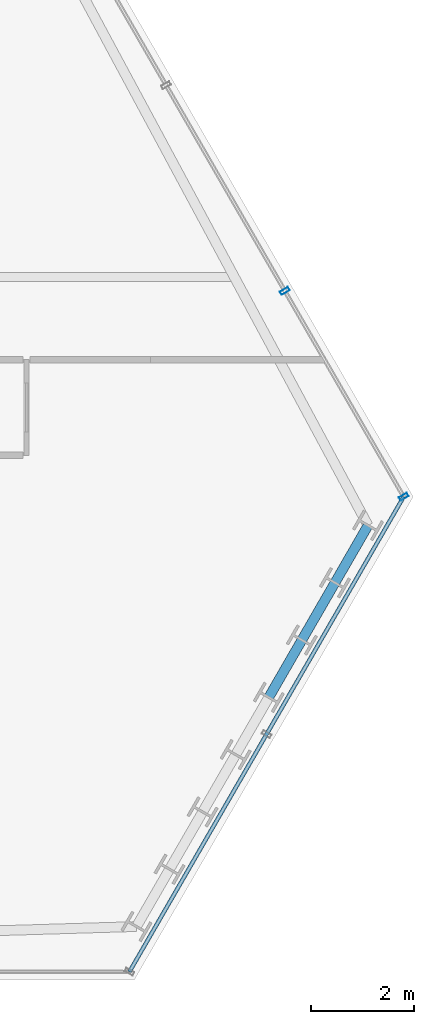
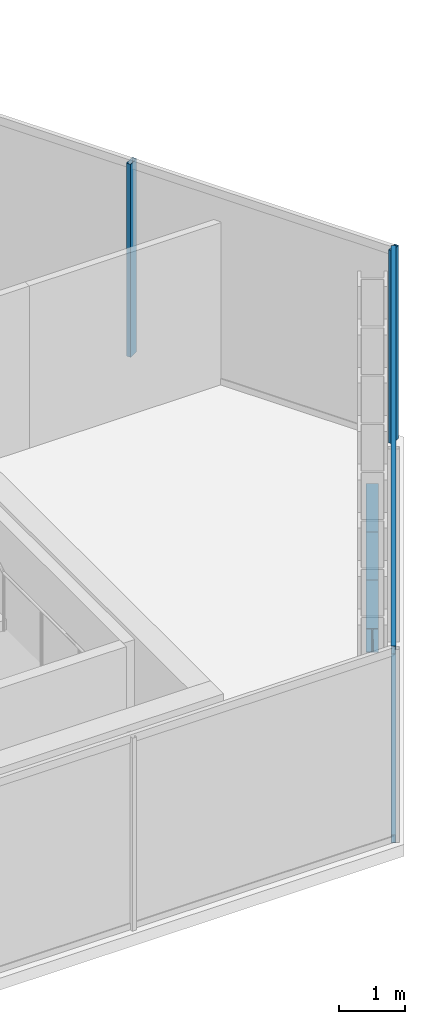
# One storey, part 16 of 33: 4 members, 3 beams, 2 elements without a shape of their own.
"""IFC4 building model written with IfcOpenShell, lengths in metres."""

import ifcopenshell
import ifcopenshell.guid

model = None  # the IFC model being written
_history = None  # IfcOwnerHistory: only IFC2X3 demands one
_inside = {}  # id of a spatial element -> (the spatial element, [elements in it])
_under = {}  # id of a project, library or spatial element -> (it, [spatial elements below it])
_declared = {}  # id of a project -> (the project, [libraries it declares])
_typed = {}  # id of a type object -> (the type object, [elements of that type])
_made_of = {}  # id of a material, layer set ... -> (it, [elements and type objects made of it])


def new_model(schema):
    """Start an empty IFC model of exactly this schema.

    Asked for "IFC4X3", IfcOpenShell would pick the latest addendum, in which some entities
    have other attributes; the version numbers below select the first issue.
    IFC2X3 requires an IfcOwnerHistory on every rooted entity: one is made here for all.
    """
    global model, _history
    if schema == "IFC4X3":
        model = ifcopenshell.file(schema_version=(4, 3, 0, 0))
    else:
        model = ifcopenshell.file(schema=schema)
    _inside.clear()
    _under.clear()
    _declared.clear()
    _typed.clear()
    _made_of.clear()
    _history = None
    if model.schema == "IFC2X3":
        org = make("IfcOrganization", Name="unknown")
        user = make(
            "IfcPersonAndOrganization",
            ThePerson=make("IfcPerson", FamilyName="unknown"),
            TheOrganization=org,
        )
        app = make(
            "IfcApplication",
            ApplicationDeveloper=org,
            Version="unknown",
            ApplicationFullName="unknown",
            ApplicationIdentifier="unknown",
        )
        _history = make(
            "IfcOwnerHistory",
            OwningUser=user,
            OwningApplication=app,
            ChangeAction="ADDED",
            CreationDate=0,
        )
    return model


def make(cls, **values):
    """One entity of the class cls with the attributes given. An attribute that is None is left unset."""
    return model.create_entity(
        cls, **{name: value for name, value in values.items() if value is not None}
    )


def rooted(cls, **values):
    """An entity with a GlobalId (a new one), such as an element, a storey or a relation."""
    return make(cls, GlobalId=ifcopenshell.guid.new(), OwnerHistory=_history, **values)


def si_unit(unit_type, name, prefix=None):
    """IfcSIUnit, for example si_unit("LENGTHUNIT", "METRE", prefix="MILLI")."""
    return make("IfcSIUnit", UnitType=unit_type, Prefix=prefix, Name=name)


def assignment(units):
    """IfcUnitAssignment: the units of a project."""
    return None if units is None else make("IfcUnitAssignment", Units=units)


def point(xyz):
    """IfcCartesianPoint."""
    return None if xyz is None else make("IfcCartesianPoint", Coordinates=xyz)


def direction(xyz):
    """IfcDirection."""
    return None if xyz is None else make("IfcDirection", DirectionRatios=xyz)


def frame(location, z_axis=None, x_axis=None):
    """IfcAxis2Placement3D, a coordinate frame: its origin and axes. An axis left out is left unset."""
    return make(
        "IfcAxis2Placement3D",
        Location=point(location),
        Axis=direction(z_axis),
        RefDirection=direction(x_axis),
    )


def frame_2d(location, x_axis=None):
    """IfcAxis2Placement2D, a coordinate frame in the plane: its origin and x axis."""
    return make(
        "IfcAxis2Placement2D", Location=point(location), RefDirection=direction(x_axis)
    )


def origin():
    """The frame at (0, 0, 0) with its axes left unset."""
    return frame((0.0, 0.0, 0.0))


def origin_2d():
    """The frame at (0, 0) in the plane with its x axis left unset."""
    return frame_2d((0.0, 0.0))


def place(relative_to, where):
    """IfcLocalPlacement: puts the frame where relative to a parent placement (None: the world)."""
    return make(
        "IfcLocalPlacement", PlacementRelTo=relative_to, RelativePlacement=where
    )


def context(
    kind, dimensions, precision=None, world=None, true_north=None, identifier=None
):
    """IfcGeometricRepresentationContext, for example the 3D "Model" context."""
    return make(
        "IfcGeometricRepresentationContext",
        ContextIdentifier=identifier,
        ContextType=kind,
        CoordinateSpaceDimension=dimensions,
        Precision=precision,
        WorldCoordinateSystem=world,
        TrueNorth=true_north,
    )


def subcontext(parent, identifier, kind, view, scale=None):
    """IfcGeometricRepresentationSubContext, for example "Body" below "Model"."""
    return make(
        "IfcGeometricRepresentationSubContext",
        ContextIdentifier=identifier,
        ContextType=kind,
        ParentContext=parent,
        TargetScale=scale,
        TargetView=view,
    )


def project(units=None, contexts=None):
    """IfcProject with its units and contexts."""
    return rooted(
        "IfcProject",
        Name="project",
        RepresentationContexts=contexts,
        UnitsInContext=assignment(units),
    )


def spatial(cls, under=None, at=None, **own):
    """A site, building, storey or space (cls), placed at a placement, below another one or the project."""
    s = rooted(cls, ObjectPlacement=at, **own)
    if under is not None:
        _under.setdefault(under.id(), (under, []))[1].append(s)
    return s


def profile(cls, at=None, kind="AREA", **sizes):
    """A parametric profile (cls). Its sizes go by their IFC names, for example OverallWidth=200.0."""
    return make(cls, ProfileType=kind, Position=at, **sizes)


def hollow_rectangle(**sizes):
    """IfcRectangleHollowProfileDef."""
    return profile("IfcRectangleHollowProfileDef", **sizes)


def i_section(**sizes):
    """IfcIShapeProfileDef."""
    return profile("IfcIShapeProfileDef", **sizes)


def extrude(swept, where, along, depth):
    """IfcExtrudedAreaSolid: the profile swept, set in the frame where, extruded along a direction by depth."""
    return make(
        "IfcExtrudedAreaSolid",
        SweptArea=swept,
        Position=where,
        ExtrudedDirection=direction(along),
        Depth=depth,
    )


def shape(context_of_items, identifier, shape_type, items):
    """IfcShapeRepresentation: the items that make up one representation, for example the "Body"."""
    return make(
        "IfcShapeRepresentation",
        ContextOfItems=context_of_items,
        RepresentationIdentifier=identifier,
        RepresentationType=shape_type,
        Items=items,
    )


def material(Name=None, Category=None):
    """IfcMaterial."""
    return make("IfcMaterial", Name=Name, Category=Category)


def layer(
    of_material, thickness, ventilated=None, Name=None, Category=None, Priority=None
):
    """IfcMaterialLayer: one layer of a wall or slab, of a material (None: an air gap)."""
    return make(
        "IfcMaterialLayer",
        Material=of_material,
        LayerThickness=thickness,
        IsVentilated=ventilated,
        Name=Name,
        Category=Category,
        Priority=Priority,
    )


def layer_set(layers, Name=None):
    """IfcMaterialLayerSet."""
    return make("IfcMaterialLayerSet", MaterialLayers=layers, LayerSetName=Name)


def material_profile(
    of_material, cross_section, Name=None, Category=None, Priority=None
):
    """IfcMaterialProfile: a cross section and its material."""
    return make(
        "IfcMaterialProfile",
        Name=Name,
        Material=of_material,
        Profile=cross_section,
        Priority=Priority,
        Category=Category,
    )


def profile_set(profiles, Name=None, composite=None):
    """IfcMaterialProfileSet."""
    return make(
        "IfcMaterialProfileSet",
        Name=Name,
        MaterialProfiles=profiles,
        CompositeProfile=composite,
    )


def made_of(thing, what):
    """Note that an element or type object is made of a material, layer set ...; save() writes the relation."""
    if what is not None:
        _made_of.setdefault(what.id(), (what, []))[1].append(thing)
    return thing


def type_object(cls, material=None, **own):
    """A type object (cls), such as IfcWallType, which elements share."""
    return made_of(rooted(cls, **own), material)


def element(
    cls,
    number,
    at=None,
    inside=None,
    cuts=None,
    type_object=None,
    material=None,
    context=None,
    identifier="Body",
    shape_type=None,
    held_by="IfcProductDefinitionShape",
    body=None,
    shapes=None,
    **own,
):
    """One element of the class cls, such as IfcWall. Its Tag is "e" and its number.

    at: its placement. inside: the storey or other place that contains it. cuts: it is an
    opening in that element (IfcRelVoidsElement). A single representation is given by context,
    identifier, shape_type and body (its items); several are given by shapes. held_by: the class
    of the entity that holds the representations. save() writes the other relations.
    """
    e = rooted(cls, Tag="e%d" % number, ObjectPlacement=at, **own)
    if body is not None:
        shapes = [shape(context, identifier, shape_type, body)]
    if shapes is not None:
        e.Representation = make(held_by, Representations=shapes)
    if inside is not None:
        _inside.setdefault(inside.id(), (inside, []))[1].append(e)
    if cuts is not None:
        rooted(
            "IfcRelVoidsElement", RelatingBuildingElement=cuts, RelatedOpeningElement=e
        )
    if type_object is not None:
        _typed.setdefault(type_object.id(), (type_object, []))[1].append(e)
    return made_of(e, material)


def aggregate(whole, parts):
    """IfcRelAggregates: a whole, such as a stair, and the parts it consists of."""
    return rooted("IfcRelAggregates", RelatingObject=whole, RelatedObjects=parts)


def save(model, path):
    """Write the relations noted so far, then the file.

    IfcRelAggregates (storeys below a building ...), IfcRelContainedInSpatialStructure (elements
    in a storey), IfcRelDefinesByType, IfcRelAssociatesMaterial and IfcRelDeclares: one each for
    every whole, place, type object, material and project.
    """
    for whole, parts in _under.values():
        aggregate(whole, parts)
    for where, things in _inside.values():
        rooted(
            "IfcRelContainedInSpatialStructure",
            RelatedElements=things,
            RelatingStructure=where,
        )
    for kind, things in _typed.values():
        rooted("IfcRelDefinesByType", RelatedObjects=things, RelatingType=kind)
    for what, things in _made_of.values():
        rooted("IfcRelAssociatesMaterial", RelatedObjects=things, RelatingMaterial=what)
    for by, libraries in _declared.values():
        rooted("IfcRelDeclares", RelatingContext=by, RelatedDefinitions=libraries)
    model.write(path)


model = new_model("IFC4")

# Units and contexts
model_context = context("Model", 3, precision=1e-05, world=origin(), true_north=direction((0.0, 1.0)))
body_context = subcontext(model_context, "Body", "Model", "MODEL_VIEW")
ifc_project = project(units=[si_unit("LENGTHUNIT", "METRE"), si_unit("AREAUNIT", "SQUARE_METRE"), si_unit("VOLUMEUNIT", "CUBIC_METRE"), si_unit("PLANEANGLEUNIT", "RADIAN"), si_unit("MASSUNIT", "GRAM", prefix="KILO")], contexts=[model_context])

# Site, building, storey
site_placement = place(None, origin())
site = spatial("IfcSite", under=ifc_project, at=site_placement, CompositionType="ELEMENT")
building_placement = place(site_placement, origin())
building = spatial("IfcBuilding", under=site, at=building_placement, Name="Ndaravel Arena Tower", CompositionType="ELEMENT")
storey_placement = place(building_placement, frame((0.0, 0.0, 165.0)))
storey = spatial("IfcBuildingStorey", under=building, at=storey_placement, Name="L39", CompositionType="ELEMENT", Elevation=165.0)

# Beams
ifc_material_1 = material(Name="Steel S355", Category="steel")
ifc_material_profile_1 = material_profile(ifc_material_1, i_section(OverallWidth=0.18994140625, OverallDepth=0.449951171875, WebThickness=0.009521484375, FlangeThickness=0.0146484375, FilletRadius=0.02099609375, at=origin_2d()), Name="IPE 450")
ifc_profile_set_1 = profile_set([ifc_material_profile_1], Name="Steel S355")
beam_type = type_object("IfcBeamType", Name="BM-SPAN-IPE450", PredefinedType="SPANDREL", material=ifc_profile_set_1)
beam_1_placement = place(storey_placement, frame((63.0859375, 10.468505859375, -0.445068359375), z_axis=(0.499975646431, 0.866039463868, 0.0), x_axis=(-0.866039463868, 0.499975646431, 0.0)))
element("IfcBeam", 1, at=beam_1_placement, inside=storey, type_object=beam_type, Name="L39 Perimeter Spandrel Beam SP-06", PredefinedType="SPANDREL", context=body_context, shape_type="SweptSolid", body=[
    extrude(i_section(OverallWidth=0.18994140625, OverallDepth=0.449951171875, WebThickness=0.009521484375, FlangeThickness=0.0146484375, FilletRadius=0.02099609375, at=origin_2d()), origin(), (0.0, 0.0, 1.0), 1.27978515625),
])
beam_2_placement = place(storey_placement, frame((63.725830078125, 11.576904296875, -0.445068359375), z_axis=(0.500036104519, 0.866004557827, 0.0), x_axis=(-0.866004557827, 0.500036104519, 0.0)))
element("IfcBeam", 2, at=beam_2_placement, inside=storey, type_object=beam_type, Name="L39 Perimeter Spandrel Beam SP-07", PredefinedType="SPANDREL", context=body_context, shape_type="SweptSolid", body=[
    extrude(i_section(OverallWidth=0.18994140625, OverallDepth=0.449951171875, WebThickness=0.009521484375, FlangeThickness=0.0146484375, FilletRadius=0.02099609375, at=origin_2d()), origin(), (0.0, 0.0, 1.0), 1.2802734375),
])
beam_3_placement = place(storey_placement, frame((64.365966796875, 12.685546875, -0.445068359375), z_axis=(0.499893060024, 0.866087136806, 0.0), x_axis=(-0.866087136806, 0.499893060024, 0.0)))
element("IfcBeam", 3, at=beam_3_placement, inside=storey, type_object=beam_type, Name="L39 Perimeter Spandrel Beam SP-08", PredefinedType="SPANDREL", context=body_context, shape_type="SweptSolid", body=[
    extrude(i_section(OverallWidth=0.18994140625, OverallDepth=0.449951171875, WebThickness=0.009521484375, FlangeThickness=0.0146484375, FilletRadius=0.02099609375, at=origin_2d()), origin(), (0.0, 0.0, 1.0), 1.280029296875),
])

# Curtain wall, members
ifc_material_2 = material(Name="Aluminium", Category="aluminium")
ifc_layer_1 = layer(ifc_material_2, 0.179931640625)
ifc_layer_set_1 = layer_set([ifc_layer_1], Name="Aluminium")
curtain_wall_type_1 = type_object("IfcCurtainWallType", Name="CW-SYS-03", PredefinedType="NOTDEFINED", material=ifc_layer_set_1)
curtain_wall_1_placement = place(storey_placement, origin())
curtain_wall_1 = element("IfcCurtainWall", 4, at=curtain_wall_1_placement, inside=storey, type_object=curtain_wall_type_1, Name="L39 Faceted Crystal Curtain Wall CW-L39-E03", PredefinedType="NOTDEFINED")
ifc_material_3 = material(Name="Aluminium", Category="aluminium")
ifc_material_profile_2 = material_profile(ifc_material_3, hollow_rectangle(XDim=0.074951171875, YDim=0.179931640625, WallThickness=0.00390625, at=origin_2d()), Name="CW MULLION 75x180x4")
ifc_profile_set_2 = profile_set([ifc_material_profile_2], Name="Aluminium")
member_type_1 = type_object("IfcMemberType", Name="MEM-CW-MUL180", PredefinedType="MULLION", material=ifc_profile_set_2)
member_1_placement = place(storey_placement, frame((65.6953125, 14.348388671875, 0.0), z_axis=(0.0, 0.0, 1.0), x_axis=(-0.5, 0.866025403784, 0.0)))
member_1 = element("IfcMember", 5, at=member_1_placement, type_object=member_type_1, Name="CW-L39-E03 Mullion 00", PredefinedType="MULLION", context=body_context, shape_type="SweptSolid", body=[
    extrude(hollow_rectangle(XDim=0.074951171875, YDim=0.179931640625, WallThickness=0.00390625, at=origin_2d()), origin(), (0.0, 0.0, 1.0), 3.580078125),
])
member_2_placement = place(storey_placement, frame((63.396484375, 18.330078125, 0.0), z_axis=(0.0, 0.0, 1.0), x_axis=(-0.5, 0.866025403784, 0.0)))
member_2 = element("IfcMember", 6, at=member_2_placement, type_object=member_type_1, Name="CW-L39-E03 Mullion 01", PredefinedType="MULLION", context=body_context, shape_type="SweptSolid", body=[
    extrude(hollow_rectangle(XDim=0.074951171875, YDim=0.179931640625, WallThickness=0.00390625, at=origin_2d()), origin(), (0.0, 0.0, 1.0), 3.580078125),
])
aggregate(curtain_wall_1, [member_1, member_2])

ifc_material_4 = material(Name="Aluminium", Category="aluminium")
ifc_layer_2 = layer(ifc_material_4, 0.179931640625)
ifc_layer_set_2 = layer_set([ifc_layer_2], Name="Aluminium")
curtain_wall_type_2 = type_object("IfcCurtainWallType", Name="CW-SYS-01", PredefinedType="NOTDEFINED", material=ifc_layer_set_2)
curtain_wall_2_placement = place(storey_placement, origin())
curtain_wall_2 = element("IfcCurtainWall", 7, at=curtain_wall_2_placement, inside=storey, type_object=curtain_wall_type_2, Name="L39 Faceted Crystal Curtain Wall CW-L39-E02", PredefinedType="NOTDEFINED")
ifc_material_5 = material(Name="Aluminium", Category="aluminium")
ifc_material_profile_3 = material_profile(ifc_material_5, hollow_rectangle(XDim=0.074951171875, YDim=0.14990234375, WallThickness=0.00390625, at=origin_2d()), Name="CW TRANSOM 75x150x4")
ifc_profile_set_3 = profile_set([ifc_material_profile_3], Name="Aluminium")
member_type_2 = type_object("IfcMemberType", Name="MEM-CW-TRN150", PredefinedType="USERDEFINED", material=ifc_profile_set_3)
member_3_placement = place(storey_placement, frame((60.390380859375, 5.159912109375, 0.0400390625), z_axis=(0.499997329654, 0.866026945504, 0.0), x_axis=(-0.866026945504, 0.499997329654, 0.0)))
member_3 = element("IfcMember", 8, at=member_3_placement, type_object=member_type_2, Name="CW-L39-E02 Transom 01", ObjectType="TRANSOM", PredefinedType="USERDEFINED", context=body_context, shape_type="SweptSolid", body=[
    extrude(hollow_rectangle(XDim=0.074951171875, YDim=0.14990234375, WallThickness=0.00390625, at=origin_2d()), origin(), (0.0, 0.0, 1.0), 10.60986328125),
])
member_4_placement = place(storey_placement, frame((60.390380859375, 5.159912109375, 3.5400390625), z_axis=(0.499997329654, 0.866026945504, 0.0), x_axis=(-0.866026945504, 0.499997329654, 0.0)))
member_4 = element("IfcMember", 9, at=member_4_placement, type_object=member_type_2, Name="CW-L39-E02 Transom 02", ObjectType="TRANSOM", PredefinedType="USERDEFINED", context=body_context, shape_type="SweptSolid", body=[
    extrude(hollow_rectangle(XDim=0.074951171875, YDim=0.14990234375, WallThickness=0.00390625, at=origin_2d()), origin(), (0.0, 0.0, 1.0), 10.60986328125),
])
aggregate(curtain_wall_2, [member_3, member_4])

save(model, "model.ifc")
